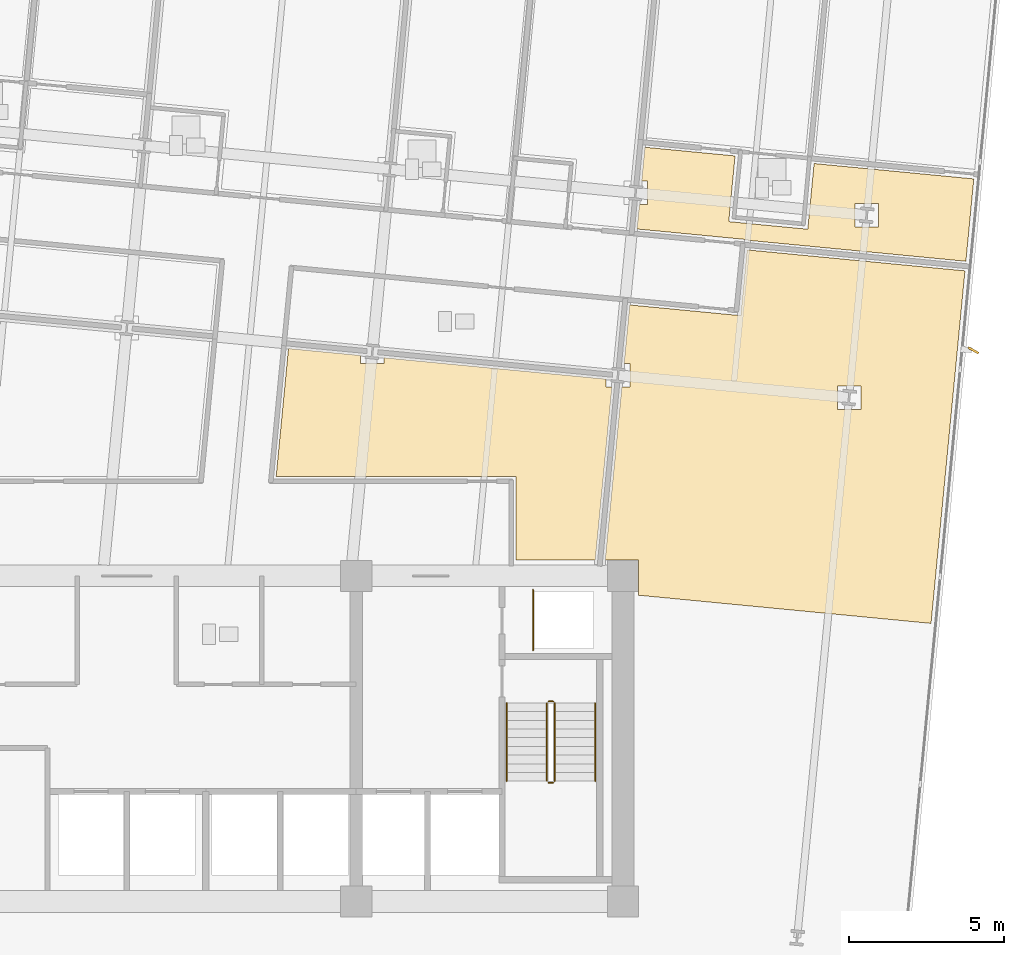
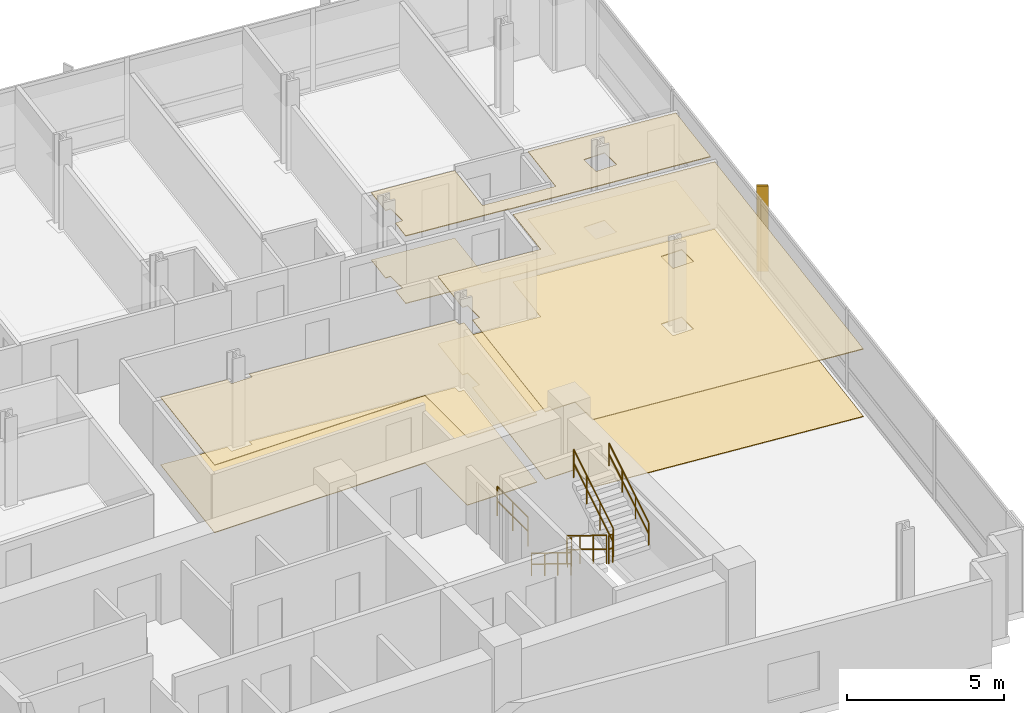
# One storey, part 15 of 17: 7 railings, 6 coverings, 1 shading device.
"""IFC4 building model written with IfcOpenShell, lengths in metres."""

from ifc_helpers import new_model, si_unit, direction, frame, origin, origin_2d, place, context, subcontext, project, spatial, polyline, rectangle, circle, outline, extrude, material, layer, layer_set, type_object, element, save


model = new_model("IFC4")

# Units and contexts
model_context = context("Model", 3, precision=1e-05, world=origin(), true_north=direction((0.0, 1.0)))
body_context = subcontext(model_context, "Body", "Model", "MODEL_VIEW")
ifc_project = project(units=[si_unit("LENGTHUNIT", "METRE"), si_unit("AREAUNIT", "SQUARE_METRE"), si_unit("VOLUMEUNIT", "CUBIC_METRE"), si_unit("PLANEANGLEUNIT", "RADIAN"), si_unit("MASSUNIT", "GRAM", prefix="KILO")], contexts=[model_context])

# Site, building, storey
site_placement = place(None, origin())
site = spatial("IfcSite", under=ifc_project, at=site_placement, CompositionType="ELEMENT")
building_placement = place(site_placement, origin())
building = spatial("IfcBuilding", under=site, at=building_placement, Name="Solmavex Isthmus Hotel", CompositionType="ELEMENT")
storey_placement = place(building_placement, frame((0.0, 0.0, 146.25)))
storey = spatial("IfcBuildingStorey", under=building, at=storey_placement, Name="L39", CompositionType="ELEMENT", Elevation=146.25)

# Coverings
ifc_material_1 = material(Name="Gypsum plasterboard lining", Category="gypsum")
ifc_layer_1 = layer(ifc_material_1, 0.030029296875)
ifc_layer_set_1 = layer_set([ifc_layer_1], Name="Gypsum plasterboard lining")
covering_type_1 = type_object("IfcCoveringType", Name="COV-CEIL-GYP", PredefinedType="CEILING", material=ifc_layer_set_1)
covering_1_placement = place(storey_placement, frame((0.0, 0.0, 2.6201171875)))
element("IfcCovering", 1, at=covering_1_placement, inside=storey, type_object=covering_type_1, Name="Suspended Acoustic Ceiling L39-ST07-FY", PredefinedType="CEILING", context=body_context, shape_type="SweptSolid", body=[
    extrude(outline(polyline([(19.614501953125, 11.0390625), (16.703857421875, 11.3193359375), (16.5986328125, 10.22607421875), (16.786376953125, 10.22607421875), (16.786376953125, 9.466064453125), (16.525390625, 9.466064453125), (16.449951171875, 8.68359375), (20.033447265625, 8.33837890625), (20.031494140625, 8.318603515625), (27.05712890625, 7.64208984375), (27.312744140625, 10.2978515625), (22.16259765625, 10.793701171875), (21.958740234375, 8.675537109375), (19.410400390625, 8.9208984375), (19.614501953125, 11.0390625)]), holes=[polyline([(23.479736328125, 8.748291015625), (23.479736328125, 9.50830078125), (24.23974609375, 9.50830078125), (24.23974609375, 8.748291015625), (23.479736328125, 8.748291015625)])]), origin(), (0.0, 0.0, 1.0), 0.02978515625),
])
covering_2_placement = place(storey_placement, frame((0.0, 0.0, 2.6201171875)))
element("IfcCovering", 2, at=covering_2_placement, inside=storey, type_object=covering_type_1, Name="Suspended Acoustic Ceiling L39-FL10", PredefinedType="CEILING", context=body_context, shape_type="SweptSolid", body=[
    extrude(outline(polyline([(8.300537109375, 4.535400390625), (8.300537109375, 4.347900390625), (7.540771484375, 4.347900390625), (7.540771484375, 4.608642578125), (5.21533203125, 4.83251953125), (4.81787109375, 0.705078125), (12.554931640625, 0.705078125), (12.554931640625, -1.9951171875), (15.1103515625, -1.9951171875), (15.647705078125, 3.585205078125), (15.4599609375, 3.585205078125), (15.4599609375, 3.84619140625), (8.300537109375, 4.535400390625)])), origin(), (0.0, 0.0, 1.0), 0.02978515625),
])
covering_3_placement = place(storey_placement, frame((0.0, 0.0, 2.6201171875)))
element("IfcCovering", 3, at=covering_3_placement, inside=storey, type_object=covering_type_1, Name="Suspended Acoustic Ceiling L39-FL11", PredefinedType="CEILING", context=body_context, shape_type="SweptSolid", body=[
    extrude(outline(polyline([(16.0322265625, 4.34521484375), (16.219970703125, 4.34521484375), (16.219970703125, 3.585205078125), (15.959228515625, 3.585205078125), (15.421875, -1.9951171875), (16.5048828125, -1.9951171875), (16.5048828125, -3.126220703125), (25.932861328125, -4.033935546875), (26.603271484375, 2.928955078125), (27.02734375, 7.33349609375), (20.001953125, 8.010009765625), (19.797607421875, 5.8896484375), (16.21435546875, 6.23486328125), (16.0322265625, 4.34521484375)]), holes=[polyline([(22.91357421875, 2.867431640625), (22.91357421875, 3.62744140625), (23.673583984375, 3.62744140625), (23.673583984375, 2.867431640625), (22.91357421875, 2.867431640625)])]), origin(), (0.0, 0.0, 1.0), 0.02978515625),
])
ifc_material_2 = material(Name="Travertine natural stone", Category="masonry")
ifc_layer_2 = layer(ifc_material_2, 0.02490234375)
ifc_layer_set_2 = layer_set([ifc_layer_2], Name="Travertine natural stone")
covering_type_2 = type_object("IfcCoveringType", Name="COV-FLOR-STN", PredefinedType="FLOORING", material=ifc_layer_set_2)
covering_4_placement = place(storey_placement, origin())
element("IfcCovering", 4, at=covering_4_placement, inside=storey, type_object=covering_type_2, Name="Stone and Timber Floor Finish L39-ST07-FY", PredefinedType="FLOORING", context=body_context, shape_type="SweptSolid", body=[
    extrude(outline(polyline([(19.614501953125, 11.0390625), (16.703857421875, 11.3193359375), (16.5986328125, 10.22607421875), (16.786376953125, 10.22607421875), (16.786376953125, 9.466064453125), (16.525390625, 9.466064453125), (16.449951171875, 8.68359375), (20.033447265625, 8.33837890625), (20.031494140625, 8.318603515625), (27.05712890625, 7.64208984375), (27.312744140625, 10.2978515625), (22.16259765625, 10.793701171875), (21.958740234375, 8.675537109375), (19.410400390625, 8.9208984375), (19.614501953125, 11.0390625)]), holes=[polyline([(23.479736328125, 8.748291015625), (23.479736328125, 9.50830078125), (24.23974609375, 9.50830078125), (24.23974609375, 8.748291015625), (23.479736328125, 8.748291015625)])]), origin(), (0.0, 0.0, 1.0), 0.02490234375),
])
covering_5_placement = place(storey_placement, origin())
element("IfcCovering", 5, at=covering_5_placement, inside=storey, type_object=covering_type_2, Name="Stone and Timber Floor Finish L39-FL10", PredefinedType="FLOORING", context=body_context, shape_type="SweptSolid", body=[
    extrude(outline(polyline([(8.300537109375, 4.535400390625), (8.300537109375, 4.347900390625), (7.540771484375, 4.347900390625), (7.540771484375, 4.608642578125), (5.21533203125, 4.83251953125), (4.81787109375, 0.705078125), (12.554931640625, 0.705078125), (12.554931640625, -1.9951171875), (15.1103515625, -1.9951171875), (15.647705078125, 3.585205078125), (15.4599609375, 3.585205078125), (15.4599609375, 3.84619140625), (8.300537109375, 4.535400390625)])), origin(), (0.0, 0.0, 1.0), 0.02490234375),
])
covering_6_placement = place(storey_placement, origin())
element("IfcCovering", 6, at=covering_6_placement, inside=storey, type_object=covering_type_2, Name="Stone and Timber Floor Finish L39-FL11", PredefinedType="FLOORING", context=body_context, shape_type="SweptSolid", body=[
    extrude(outline(polyline([(16.0322265625, 4.34521484375), (16.219970703125, 4.34521484375), (16.219970703125, 3.585205078125), (15.959228515625, 3.585205078125), (15.421875, -1.9951171875), (16.5048828125, -1.9951171875), (16.5048828125, -3.126220703125), (25.932861328125, -4.033935546875), (26.603271484375, 2.928955078125), (27.02734375, 7.33349609375), (20.001953125, 8.010009765625), (19.797607421875, 5.8896484375), (16.21435546875, 6.23486328125), (16.0322265625, 4.34521484375)]), holes=[polyline([(22.91357421875, 2.867431640625), (22.91357421875, 3.62744140625), (23.673583984375, 3.62744140625), (23.673583984375, 2.867431640625), (22.91357421875, 2.867431640625)])]), origin(), (0.0, 0.0, 1.0), 0.02490234375),
])

# Railings
ifc_material_3 = material(Name="Clear low-E laminated glass", Category="glass")
ifc_layer_3 = layer(ifc_material_3, 0.080078125)
ifc_layer_set_3 = layer_set([ifc_layer_3], Name="Clear low-E laminated glass")
railing_type_1 = type_object("IfcRailingType", Name="RAIL-ATRIUM-1120", PredefinedType="BALUSTRADE", material=ifc_layer_set_3)
railing_1_placement = place(storey_placement, frame((13.10009765625, -4.89990234375, 0.0)))
element("IfcRailing", 7, at=railing_1_placement, inside=storey, type_object=railing_type_1, Name="Guardrail Balustrade L39-RSE-01", PredefinedType="BALUSTRADE", context=body_context, shape_type="SweptSolid", body=[
    extrude(circle(Radius=0.02392578125, at=origin_2d()), frame((0.0, 0.0, 1.1259765625), z_axis=(0.0, 1.0, 0.0), x_axis=(-1.0, 0.0, 0.0)), (0.0, 0.0, 1.0), 1.949951171875),
    extrude(circle(Radius=0.02392578125, at=origin_2d()), frame((0.0, 0.0, 0.574951171875), z_axis=(0.0, 1.0, 0.0), x_axis=(-1.0, 0.0, 0.0)), (0.0, 0.0, 1.0), 1.949951171875),
    extrude(circle(Radius=0.02099609375, at=origin_2d()), origin(), (0.0, 0.0, 1.0), 1.101806640625),
    extrude(circle(Radius=0.02099609375, at=origin_2d()), frame((0.0, 0.97509765625, 0.0)), (0.0, 0.0, 1.0), 1.101806640625),
    extrude(circle(Radius=0.02099609375, at=origin_2d()), frame((0.0, 1.949951171875, 0.0)), (0.0, 0.0, 1.0), 1.101806640625),
])
ifc_material_4 = material(Name="Stainless steel 316", Category="steel")
ifc_layer_4 = layer(ifc_material_4, 0.06005859375)
ifc_layer_set_4 = layer_set([ifc_layer_4], Name="Stainless steel 316")
railing_type_2 = type_object("IfcRailingType", Name="RAIL-STAIR-GD", PredefinedType="GUARDRAIL", material=ifc_layer_set_4)
railing_2_placement = place(storey_placement, frame((13.550048828125, -6.60009765625, 0.172607421875)))
element("IfcRailing", 8, at=railing_2_placement, inside=storey, type_object=railing_type_2, Name="L39 ST-2 stair guard 1", PredefinedType="GUARDRAIL", context=body_context, shape_type="SweptSolid", body=[
    extrude(circle(Radius=0.02392578125, at=origin_2d()), frame((0.0, 0.0, 1.09619140625), z_axis=(0.0, -0.851400495292, 0.524516154772), x_axis=(1.0, 0.0, 0.0)), (0.0, 0.0, 1.0), 2.9599609375),
    extrude(circle(Radius=0.02392578125, at=origin_2d()), frame((0.0, 0.0, 0.56005859375), z_axis=(0.0, -0.851400495292, 0.524516154772), x_axis=(1.0, 0.0, 0.0)), (0.0, 0.0, 1.0), 2.9599609375),
    extrude(circle(Radius=0.02099609375, at=origin_2d()), origin(), (0.0, 0.0, 1.0), 1.072021484375),
    extrude(circle(Radius=0.02099609375, at=origin_2d()), frame((0.0, -0.840087890625, 0.517578125)), (0.0, 0.0, 1.0), 1.072021484375),
    extrude(circle(Radius=0.02099609375, at=origin_2d()), frame((0.0, -1.679931640625, 1.034912109375)), (0.0, 0.0, 1.0), 1.072021484375),
    extrude(circle(Radius=0.02099609375, at=origin_2d()), frame((0.0, -2.52001953125, 1.552490234375)), (0.0, 0.0, 1.0), 1.072021484375),
])
railing_3_placement = place(storey_placement, frame((13.60009765625, -9.169921875, 1.72509765625)))
element("IfcRailing", 9, at=railing_3_placement, inside=storey, type_object=railing_type_2, Name="L39 ST-2 stair guard 2", PredefinedType="GUARDRAIL", context=body_context, shape_type="SweptSolid", body=[
    extrude(circle(Radius=0.02392578125, at=origin_2d()), frame((0.0, 0.0, 1.09619140625), z_axis=(1.0, 0.0, 0.0), x_axis=(0.0, 1.0, 0.0)), (0.0, 0.0, 1.0), 0.14990234375),
    extrude(circle(Radius=0.02392578125, at=origin_2d()), frame((0.0, 0.0, 0.56005859375), z_axis=(1.0, 0.0, 0.0), x_axis=(0.0, 1.0, 0.0)), (0.0, 0.0, 1.0), 0.14990234375),
    extrude(circle(Radius=0.02099609375, at=origin_2d()), origin(), (0.0, 0.0, 1.0), 1.072021484375),
    extrude(circle(Radius=0.02099609375, at=origin_2d()), frame((0.14990234375, 0.0, 0.0)), (0.0, 0.0, 1.0), 1.072021484375),
])
railing_4_placement = place(storey_placement, frame((13.800048828125, -9.1201171875, 1.8974609375)))
element("IfcRailing", 10, at=railing_4_placement, inside=storey, type_object=railing_type_2, Name="L39 ST-2 stair guard 3", PredefinedType="GUARDRAIL", context=body_context, shape_type="SweptSolid", body=[
    extrude(circle(Radius=0.02392578125, at=origin_2d()), frame((0.0, 0.0, 1.09619140625), z_axis=(0.0, 0.851400495292, 0.524516154772), x_axis=(-1.0, 0.0, 0.0)), (0.0, 0.0, 1.0), 2.9599609375),
    extrude(circle(Radius=0.02392578125, at=origin_2d()), frame((0.0, 0.0, 0.56005859375), z_axis=(0.0, 0.851400495292, 0.524516154772), x_axis=(-1.0, 0.0, 0.0)), (0.0, 0.0, 1.0), 2.9599609375),
    extrude(circle(Radius=0.02099609375, at=origin_2d()), origin(), (0.0, 0.0, 1.0), 1.072021484375),
    extrude(circle(Radius=0.02099609375, at=origin_2d()), frame((0.0, 0.840087890625, 0.517578125)), (0.0, 0.0, 1.0), 1.072021484375),
    extrude(circle(Radius=0.02099609375, at=origin_2d()), frame((0.0, 1.679931640625, 1.034912109375)), (0.0, 0.0, 1.0), 1.072021484375),
    extrude(circle(Radius=0.02099609375, at=origin_2d()), frame((0.0, 2.52001953125, 1.552490234375)), (0.0, 0.0, 1.0), 1.072021484375),
])
railing_5_placement = place(storey_placement, frame((13.60009765625, -6.550048828125, 0.0)))
element("IfcRailing", 11, at=railing_5_placement, inside=storey, type_object=railing_type_2, Name="L39 ST-2 stair guard 4", PredefinedType="GUARDRAIL", context=body_context, shape_type="SweptSolid", body=[
    extrude(circle(Radius=0.02392578125, at=origin_2d()), frame((0.0, 0.0, 1.09619140625), z_axis=(1.0, 0.0, 0.0), x_axis=(0.0, 1.0, 0.0)), (0.0, 0.0, 1.0), 0.14990234375),
    extrude(circle(Radius=0.02392578125, at=origin_2d()), frame((0.0, 0.0, 0.56005859375), z_axis=(1.0, 0.0, 0.0), x_axis=(0.0, 1.0, 0.0)), (0.0, 0.0, 1.0), 0.14990234375),
    extrude(circle(Radius=0.02099609375, at=origin_2d()), origin(), (0.0, 0.0, 1.0), 1.072021484375),
    extrude(circle(Radius=0.02099609375, at=origin_2d()), frame((0.14990234375, 0.0, 0.0)), (0.0, 0.0, 1.0), 1.072021484375),
])
ifc_layer_5 = layer(ifc_material_4, 0.050048828125)
ifc_layer_set_5 = layer_set([ifc_layer_5], Name="Stainless steel 316")
railing_type_3 = type_object("IfcRailingType", Name="RAIL-STAIR-HR", PredefinedType="HANDRAIL", material=ifc_layer_set_5)
railing_6_placement = place(storey_placement, frame((12.25, -6.60009765625, 0.172607421875)))
element("IfcRailing", 12, at=railing_6_placement, inside=storey, type_object=railing_type_3, Name="L39 ST-2 stair handrail 1", PredefinedType="HANDRAIL", context=body_context, shape_type="SweptSolid", body=[
    extrude(circle(Radius=0.02392578125, at=origin_2d()), frame((0.0, 0.0, 0.8759765625), z_axis=(0.0, -0.851400495292, 0.524516154772), x_axis=(1.0, 0.0, 0.0)), (0.0, 0.0, 1.0), 2.9599609375),
    extrude(circle(Radius=0.02392578125, at=origin_2d()), frame((0.0, 0.0, 0.449951171875), z_axis=(0.0, -0.851400495292, 0.524516154772), x_axis=(1.0, 0.0, 0.0)), (0.0, 0.0, 1.0), 2.9599609375),
    extrude(circle(Radius=0.02099609375, at=origin_2d()), origin(), (0.0, 0.0, 1.0), 0.851806640625),
    extrude(circle(Radius=0.02099609375, at=origin_2d()), frame((0.0, -0.840087890625, 0.517578125)), (0.0, 0.0, 1.0), 0.851806640625),
    extrude(circle(Radius=0.02099609375, at=origin_2d()), frame((0.0, -1.679931640625, 1.034912109375)), (0.0, 0.0, 1.0), 0.851806640625),
    extrude(circle(Radius=0.02099609375, at=origin_2d()), frame((0.0, -2.52001953125, 1.552490234375)), (0.0, 0.0, 1.0), 0.851806640625),
])
railing_7_placement = place(storey_placement, frame((15.10009765625, -9.1201171875, 1.8974609375)))
element("IfcRailing", 13, at=railing_7_placement, inside=storey, type_object=railing_type_3, Name="L39 ST-2 stair handrail 2", PredefinedType="HANDRAIL", context=body_context, shape_type="SweptSolid", body=[
    extrude(circle(Radius=0.02392578125, at=origin_2d()), frame((0.0, 0.0, 0.8759765625), z_axis=(0.0, 0.851400495292, 0.524516154772), x_axis=(-1.0, 0.0, 0.0)), (0.0, 0.0, 1.0), 2.9599609375),
    extrude(circle(Radius=0.02392578125, at=origin_2d()), frame((0.0, 0.0, 0.449951171875), z_axis=(0.0, 0.851400495292, 0.524516154772), x_axis=(-1.0, 0.0, 0.0)), (0.0, 0.0, 1.0), 2.9599609375),
    extrude(circle(Radius=0.02099609375, at=origin_2d()), origin(), (0.0, 0.0, 1.0), 0.851806640625),
    extrude(circle(Radius=0.02099609375, at=origin_2d()), frame((0.0, 0.840087890625, 0.517578125)), (0.0, 0.0, 1.0), 0.851806640625),
    extrude(circle(Radius=0.02099609375, at=origin_2d()), frame((0.0, 1.679931640625, 1.034912109375)), (0.0, 0.0, 1.0), 0.851806640625),
    extrude(circle(Radius=0.02099609375, at=origin_2d()), frame((0.0, 2.52001953125, 1.552490234375)), (0.0, 0.0, 1.0), 0.851806640625),
])

# Shading device
ifc_material_5 = material(Name="Aluminium alloy 6063-T6", Category="aluminium")
shading_device_type = type_object("IfcShadingDeviceType", Name="SHD-FIN-CHAMP", PredefinedType="USERDEFINED", material=ifc_material_5)
shading_device_placement = place(storey_placement, frame((27.298095703125, 4.770751953125, -0.14013671875), z_axis=(0.0, 0.0, 1.0), x_axis=(0.87035569594, -0.492423560103, 0.0)))
element("IfcShadingDevice", 14, at=shading_device_placement, inside=storey, type_object=shading_device_type, Name="Anodised Aluminium Solar Fin L39-E1", ObjectType="SOLAR_FIN", PredefinedType="USERDEFINED", context=body_context, shape_type="SweptSolid", body=[
    extrude(rectangle(XDim=0.3798828125, YDim=0.070068359375, at=origin_2d()), origin(), (0.0, 0.0, 1.0), 3.330078125),
])

save(model, "model.ifc")
